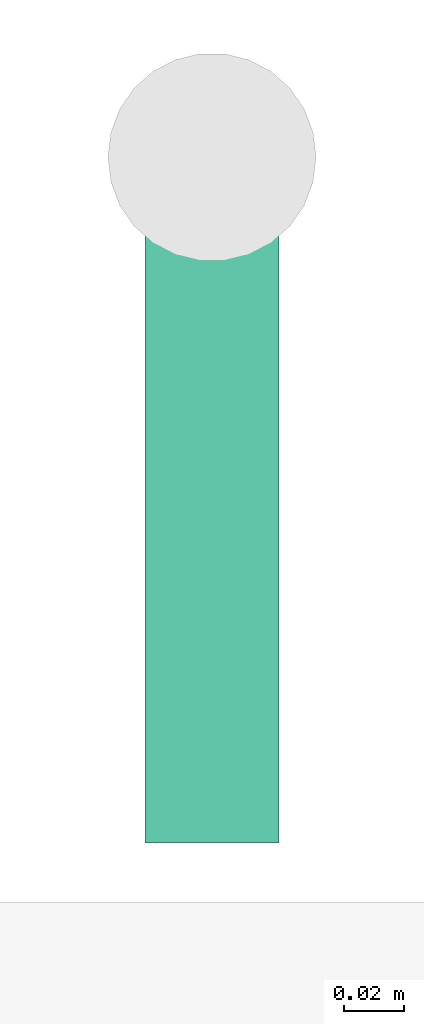
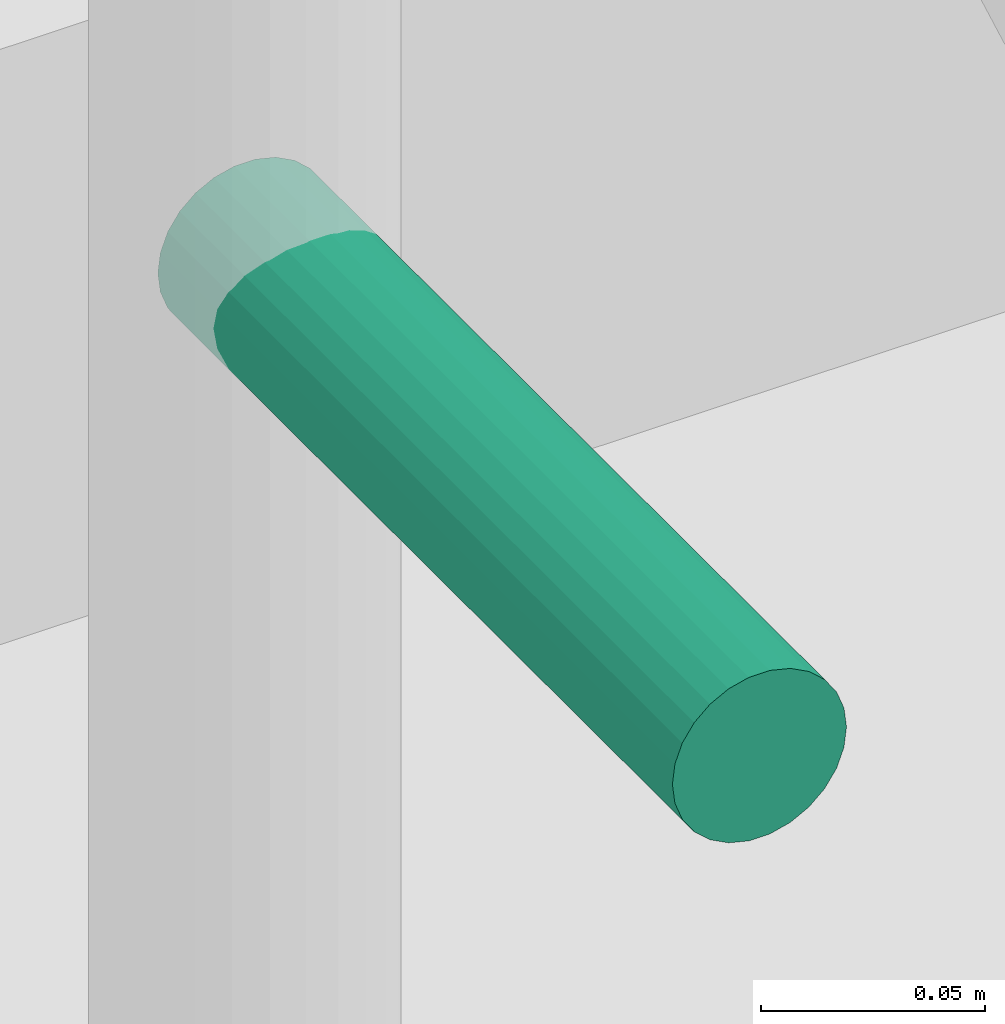
# One storey, part 42 of 45: 1 pipe fitting.
"""IFC4 building model written with IfcOpenShell, lengths in metres."""

from ifc_helpers import new_model, si_unit, direction, frame, origin, origin_2d, place, context, subcontext, project, spatial, circle, extrude, element, save


model = new_model("IFC4")

# Units and contexts
model_context = context("Model", 3, precision=1e-05, world=origin(), true_north=direction((0.0, 1.0)))
body_context = subcontext(model_context, "Body", "Model", "MODEL_VIEW")
ifc_project = project(units=[si_unit("LENGTHUNIT", "METRE"), si_unit("AREAUNIT", "SQUARE_METRE"), si_unit("VOLUMEUNIT", "CUBIC_METRE"), si_unit("PLANEANGLEUNIT", "RADIAN"), si_unit("MASSUNIT", "GRAM", prefix="KILO")], contexts=[model_context])

# Site, building, storey
site_placement = place(None, origin())
site = spatial("IfcSite", under=ifc_project, at=site_placement, CompositionType="ELEMENT")
building_placement = place(site_placement, origin())
building = spatial("IfcBuilding", under=site, at=building_placement, Name="Nzadi Deep Aquarium and Research Tower", CompositionType="ELEMENT")
storey_placement = place(building_placement, origin())
storey = spatial("IfcBuildingStorey", under=building, at=storey_placement, Name="G", CompositionType="ELEMENT", Elevation=0.0)

# Pipe fitting
pipe_fitting_placement = place(storey_placement, frame((55.300048828125, 68.9599609375, 1.10009765625), z_axis=(0.0, -1.0, 0.0), x_axis=(1.0, 0.0, 0.0)))
element("IfcPipeFitting", 1, at=pipe_fitting_placement, inside=storey, Name="Dry riser outlet ST-Z2-E G", PredefinedType="EXIT", context=body_context, shape_type="SweptSolid", body=[
    extrude(circle(Radius=0.0224609375, at=origin_2d()), origin(), (0.0, 0.0, 1.0), 0.22998046875),
])

save(model, "model.ifc")
